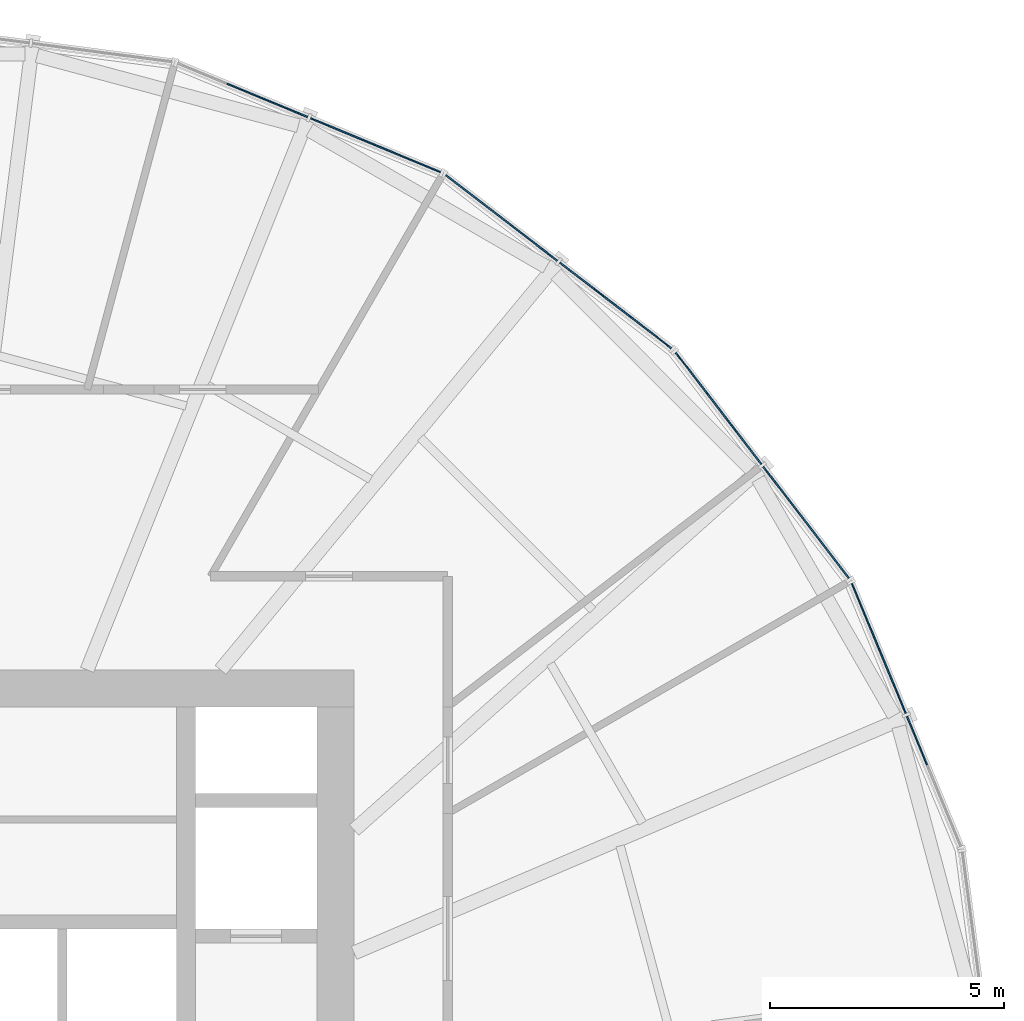
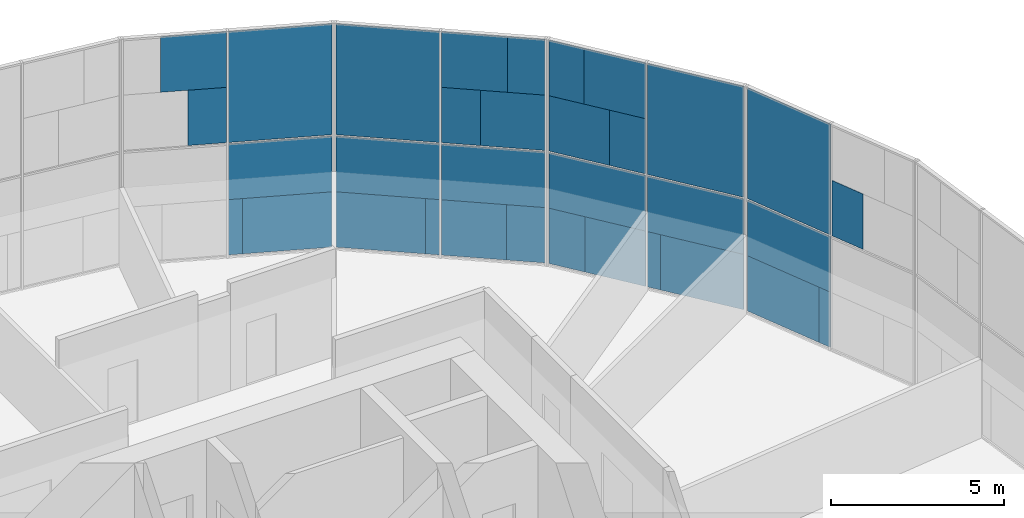
# One storey, part 14 of 18: 33 plates, 4 elements without a shape of their own.
"""IFC4 building model written with IfcOpenShell, lengths in metres."""

import ifcopenshell
import ifcopenshell.guid

model = None  # the IFC model being written
_history = None  # IfcOwnerHistory: only IFC2X3 demands one
_inside = {}  # id of a spatial element -> (the spatial element, [elements in it])
_under = {}  # id of a project, library or spatial element -> (it, [spatial elements below it])
_declared = {}  # id of a project -> (the project, [libraries it declares])
_typed = {}  # id of a type object -> (the type object, [elements of that type])
_made_of = {}  # id of a material, layer set ... -> (it, [elements and type objects made of it])


def new_model(schema):
    """Start an empty IFC model of exactly this schema.

    Asked for "IFC4X3", IfcOpenShell would pick the latest addendum, in which some entities
    have other attributes; the version numbers below select the first issue.
    IFC2X3 requires an IfcOwnerHistory on every rooted entity: one is made here for all.
    """
    global model, _history
    if schema == "IFC4X3":
        model = ifcopenshell.file(schema_version=(4, 3, 0, 0))
    else:
        model = ifcopenshell.file(schema=schema)
    _inside.clear()
    _under.clear()
    _declared.clear()
    _typed.clear()
    _made_of.clear()
    _history = None
    if model.schema == "IFC2X3":
        org = make("IfcOrganization", Name="unknown")
        user = make(
            "IfcPersonAndOrganization",
            ThePerson=make("IfcPerson", FamilyName="unknown"),
            TheOrganization=org,
        )
        app = make(
            "IfcApplication",
            ApplicationDeveloper=org,
            Version="unknown",
            ApplicationFullName="unknown",
            ApplicationIdentifier="unknown",
        )
        _history = make(
            "IfcOwnerHistory",
            OwningUser=user,
            OwningApplication=app,
            ChangeAction="ADDED",
            CreationDate=0,
        )
    return model


def make(cls, **values):
    """One entity of the class cls with the attributes given. An attribute that is None is left unset."""
    return model.create_entity(
        cls, **{name: value for name, value in values.items() if value is not None}
    )


def rooted(cls, **values):
    """An entity with a GlobalId (a new one), such as an element, a storey or a relation."""
    return make(cls, GlobalId=ifcopenshell.guid.new(), OwnerHistory=_history, **values)


def si_unit(unit_type, name, prefix=None):
    """IfcSIUnit, for example si_unit("LENGTHUNIT", "METRE", prefix="MILLI")."""
    return make("IfcSIUnit", UnitType=unit_type, Prefix=prefix, Name=name)


def assignment(units):
    """IfcUnitAssignment: the units of a project."""
    return None if units is None else make("IfcUnitAssignment", Units=units)


def point(xyz):
    """IfcCartesianPoint."""
    return None if xyz is None else make("IfcCartesianPoint", Coordinates=xyz)


def direction(xyz):
    """IfcDirection."""
    return None if xyz is None else make("IfcDirection", DirectionRatios=xyz)


def frame(location, z_axis=None, x_axis=None):
    """IfcAxis2Placement3D, a coordinate frame: its origin and axes. An axis left out is left unset."""
    return make(
        "IfcAxis2Placement3D",
        Location=point(location),
        Axis=direction(z_axis),
        RefDirection=direction(x_axis),
    )


def frame_2d(location, x_axis=None):
    """IfcAxis2Placement2D, a coordinate frame in the plane: its origin and x axis."""
    return make(
        "IfcAxis2Placement2D", Location=point(location), RefDirection=direction(x_axis)
    )


def origin():
    """The frame at (0, 0, 0) with its axes left unset."""
    return frame((0.0, 0.0, 0.0))


def origin_2d():
    """The frame at (0, 0) in the plane with its x axis left unset."""
    return frame_2d((0.0, 0.0))


def place(relative_to, where):
    """IfcLocalPlacement: puts the frame where relative to a parent placement (None: the world)."""
    return make(
        "IfcLocalPlacement", PlacementRelTo=relative_to, RelativePlacement=where
    )


def context(
    kind, dimensions, precision=None, world=None, true_north=None, identifier=None
):
    """IfcGeometricRepresentationContext, for example the 3D "Model" context."""
    return make(
        "IfcGeometricRepresentationContext",
        ContextIdentifier=identifier,
        ContextType=kind,
        CoordinateSpaceDimension=dimensions,
        Precision=precision,
        WorldCoordinateSystem=world,
        TrueNorth=true_north,
    )


def subcontext(parent, identifier, kind, view, scale=None):
    """IfcGeometricRepresentationSubContext, for example "Body" below "Model"."""
    return make(
        "IfcGeometricRepresentationSubContext",
        ContextIdentifier=identifier,
        ContextType=kind,
        ParentContext=parent,
        TargetScale=scale,
        TargetView=view,
    )


def project(units=None, contexts=None):
    """IfcProject with its units and contexts."""
    return rooted(
        "IfcProject",
        Name="project",
        RepresentationContexts=contexts,
        UnitsInContext=assignment(units),
    )


def spatial(cls, under=None, at=None, **own):
    """A site, building, storey or space (cls), placed at a placement, below another one or the project."""
    s = rooted(cls, ObjectPlacement=at, **own)
    if under is not None:
        _under.setdefault(under.id(), (under, []))[1].append(s)
    return s


def profile(cls, at=None, kind="AREA", **sizes):
    """A parametric profile (cls). Its sizes go by their IFC names, for example OverallWidth=200.0."""
    return make(cls, ProfileType=kind, Position=at, **sizes)


def rectangle(**sizes):
    """IfcRectangleProfileDef."""
    return profile("IfcRectangleProfileDef", **sizes)


def extrude(swept, where, along, depth):
    """IfcExtrudedAreaSolid: the profile swept, set in the frame where, extruded along a direction by depth."""
    return make(
        "IfcExtrudedAreaSolid",
        SweptArea=swept,
        Position=where,
        ExtrudedDirection=direction(along),
        Depth=depth,
    )


def shape(context_of_items, identifier, shape_type, items):
    """IfcShapeRepresentation: the items that make up one representation, for example the "Body"."""
    return make(
        "IfcShapeRepresentation",
        ContextOfItems=context_of_items,
        RepresentationIdentifier=identifier,
        RepresentationType=shape_type,
        Items=items,
    )


def material(Name=None, Category=None):
    """IfcMaterial."""
    return make("IfcMaterial", Name=Name, Category=Category)


def layer(
    of_material, thickness, ventilated=None, Name=None, Category=None, Priority=None
):
    """IfcMaterialLayer: one layer of a wall or slab, of a material (None: an air gap)."""
    return make(
        "IfcMaterialLayer",
        Material=of_material,
        LayerThickness=thickness,
        IsVentilated=ventilated,
        Name=Name,
        Category=Category,
        Priority=Priority,
    )


def layer_set(layers, Name=None):
    """IfcMaterialLayerSet."""
    return make("IfcMaterialLayerSet", MaterialLayers=layers, LayerSetName=Name)


def made_of(thing, what):
    """Note that an element or type object is made of a material, layer set ...; save() writes the relation."""
    if what is not None:
        _made_of.setdefault(what.id(), (what, []))[1].append(thing)
    return thing


def type_object(cls, material=None, **own):
    """A type object (cls), such as IfcWallType, which elements share."""
    return made_of(rooted(cls, **own), material)


def element(
    cls,
    number,
    at=None,
    inside=None,
    cuts=None,
    type_object=None,
    material=None,
    context=None,
    identifier="Body",
    shape_type=None,
    held_by="IfcProductDefinitionShape",
    body=None,
    shapes=None,
    **own,
):
    """One element of the class cls, such as IfcWall. Its Tag is "e" and its number.

    at: its placement. inside: the storey or other place that contains it. cuts: it is an
    opening in that element (IfcRelVoidsElement). A single representation is given by context,
    identifier, shape_type and body (its items); several are given by shapes. held_by: the class
    of the entity that holds the representations. save() writes the other relations.
    """
    e = rooted(cls, Tag="e%d" % number, ObjectPlacement=at, **own)
    if body is not None:
        shapes = [shape(context, identifier, shape_type, body)]
    if shapes is not None:
        e.Representation = make(held_by, Representations=shapes)
    if inside is not None:
        _inside.setdefault(inside.id(), (inside, []))[1].append(e)
    if cuts is not None:
        rooted(
            "IfcRelVoidsElement", RelatingBuildingElement=cuts, RelatedOpeningElement=e
        )
    if type_object is not None:
        _typed.setdefault(type_object.id(), (type_object, []))[1].append(e)
    return made_of(e, material)


def aggregate(whole, parts):
    """IfcRelAggregates: a whole, such as a stair, and the parts it consists of."""
    return rooted("IfcRelAggregates", RelatingObject=whole, RelatedObjects=parts)


def save(model, path):
    """Write the relations noted so far, then the file.

    IfcRelAggregates (storeys below a building ...), IfcRelContainedInSpatialStructure (elements
    in a storey), IfcRelDefinesByType, IfcRelAssociatesMaterial and IfcRelDeclares: one each for
    every whole, place, type object, material and project.
    """
    for whole, parts in _under.values():
        aggregate(whole, parts)
    for where, things in _inside.values():
        rooted(
            "IfcRelContainedInSpatialStructure",
            RelatedElements=things,
            RelatingStructure=where,
        )
    for kind, things in _typed.values():
        rooted("IfcRelDefinesByType", RelatedObjects=things, RelatingType=kind)
    for what, things in _made_of.values():
        rooted("IfcRelAssociatesMaterial", RelatedObjects=things, RelatingMaterial=what)
    for by, libraries in _declared.values():
        rooted("IfcRelDeclares", RelatingContext=by, RelatedDefinitions=libraries)
    model.write(path)


model = new_model("IFC4")

# Units and contexts
model_context = context("Model", 3, precision=1e-05, world=origin(), true_north=direction((0.0, 1.0)))
body_context = subcontext(model_context, "Body", "Model", "MODEL_VIEW")
ifc_project = project(units=[si_unit("LENGTHUNIT", "METRE"), si_unit("AREAUNIT", "SQUARE_METRE"), si_unit("VOLUMEUNIT", "CUBIC_METRE"), si_unit("PLANEANGLEUNIT", "RADIAN"), si_unit("MASSUNIT", "GRAM", prefix="KILO")], contexts=[model_context])

# Site, building, storey
site_placement = place(None, origin())
site = spatial("IfcSite", under=ifc_project, at=site_placement, CompositionType="ELEMENT")
building_placement = place(site_placement, origin())
building = spatial("IfcBuilding", under=site, at=building_placement, Name="Golbaran Civic Tower", CompositionType="ELEMENT")
storey_placement = place(building_placement, frame((0.0, 0.0, 61.0)))
storey = spatial("IfcBuildingStorey", under=building, at=storey_placement, Name="L14", CompositionType="ELEMENT", Elevation=61.0)

# Curtain wall, plates
ifc_material_1 = material(Name="Aluminium and glass", Category="aluminium")
curtain_wall_type = type_object("IfcCurtainWallType", Name="INNER SKIN CURTAIN WALL", PredefinedType="NOTDEFINED", material=ifc_material_1)
curtain_wall_1_placement = place(storey_placement, origin())
curtain_wall_1 = element("IfcCurtainWall", 1, at=curtain_wall_1_placement, inside=storey, type_object=curtain_wall_type, Name="Inner skin L14 facet 2 CW1", ObjectType="INNER SKIN", PredefinedType="USERDEFINED")
ifc_material_2 = material(Name="Clear insulating glass", Category="glass")
ifc_layer_1 = layer(ifc_material_2, 0.031982421875, Name="Clear insulating glass")
ifc_layer_set_1 = layer_set([ifc_layer_1], Name="Clear insulating glass")
plate_type_1 = type_object("IfcPlateType", Name="INNER SKIN CURTAIN WALL GLAZED PANEL", PredefinedType="CURTAIN_PANEL", material=ifc_layer_set_1)
plate_1_placement = place(storey_placement, frame((22.04345703125, 8.487060546875, 4.032470703125), z_axis=(0.0, 0.0, 1.0), x_axis=(-0.382683432381, 0.923879532505, 0.0)))
plate_1 = element("IfcPlate", 2, at=plate_1_placement, type_object=plate_type_1, Name="CW1 panel 1.2 part 2", PredefinedType="CURTAIN_PANEL", context=body_context, shape_type="SweptSolid", body=[
    extrude(rectangle(XDim=1.124267578125, YDim=0.031982421875, at=origin_2d()), origin(), (0.0, 0.0, 1.0), 1.951171875),
])
plate_2_placement = place(storey_placement, frame((21.1484375, 10.647705078125, 0.06494140625), z_axis=(0.0, 0.0, 1.0), x_axis=(-0.382683432381, 0.923879532505, 0.0)))
plate_2 = element("IfcPlate", 3, at=plate_2_placement, type_object=plate_type_1, Name="CW1 panel 2.1 part 2", PredefinedType="CURTAIN_PANEL", context=body_context, shape_type="SweptSolid", body=[
    extrude(rectangle(XDim=2.59912109375, YDim=0.031982421875, at=origin_2d()), origin(), (0.0, 0.0, 1.0), 1.951171875),
])
plate_3_placement = place(storey_placement, frame((21.227294921875, 10.45751953125, 2.016357421875), z_axis=(0.0, 0.0, 1.0), x_axis=(-0.382683432381, 0.923879532505, 0.0)))
plate_3 = element("IfcPlate", 4, at=plate_3_placement, type_object=plate_type_1, Name="CW1 panel 2.1 part 3", PredefinedType="CURTAIN_PANEL", context=body_context, shape_type="SweptSolid", body=[
    extrude(rectangle(XDim=3.01123046875, YDim=0.031982421875, at=origin_2d()), origin(), (0.0, 0.0, 1.0), 1.951171875),
])
plate_4_placement = place(storey_placement, frame((21.227294921875, 10.45751953125, 4.0322265625), z_axis=(0.0, 0.0, 1.0), x_axis=(-0.382683432381, 0.923879532505, 0.0)))
plate_4 = element("IfcPlate", 5, at=plate_4_placement, type_object=plate_type_1, Name="CW1 panel 2.2", PredefinedType="CURTAIN_PANEL", context=body_context, shape_type="SweptSolid", body=[
    extrude(rectangle(XDim=3.01123046875, YDim=0.031982421875, at=origin_2d()), origin(), (0.0, 0.0, 1.0), 3.902587890625),
])

curtain_wall_2_placement = place(storey_placement, origin())
curtain_wall_2 = element("IfcCurtainWall", 6, at=curtain_wall_2_placement, inside=storey, type_object=curtain_wall_type, Name="Inner skin L14 facet 3 CW1", ObjectType="INNER SKIN", PredefinedType="USERDEFINED")
plate_5_placement = place(storey_placement, frame((19.795166015625, 12.991455078125, 0.06494140625), z_axis=(0.0, 0.0, 1.0), x_axis=(-0.608761428926, 0.793353340355, 0.0)))
plate_5 = element("IfcPlate", 7, at=plate_5_placement, type_object=plate_type_1, Name="CW1 panel 1.1 part 1", PredefinedType="CURTAIN_PANEL", context=body_context, shape_type="SweptSolid", body=[
    extrude(rectangle(XDim=2.60009765625, YDim=0.031982421875, at=origin_2d()), origin(), (0.0, 0.0, 1.0), 1.951171875),
])
plate_6_placement = place(storey_placement, frame((19.669921875, 13.154541015625, 2.016357421875), z_axis=(0.0, 0.0, 1.0), x_axis=(-0.608761428926, 0.793353340355, 0.0)))
plate_6 = element("IfcPlate", 8, at=plate_6_placement, type_object=plate_type_1, Name="CW1 panel 1.1 part 3", PredefinedType="CURTAIN_PANEL", context=body_context, shape_type="SweptSolid", body=[
    extrude(rectangle(XDim=3.01123046875, YDim=0.031982421875, at=origin_2d()), origin(), (0.0, 0.0, 1.0), 1.951171875),
])
plate_7_placement = place(storey_placement, frame((19.669921875, 13.154541015625, 4.0322265625), z_axis=(0.0, 0.0, 1.0), x_axis=(-0.608761428926, 0.793353340355, 0.0)))
plate_7 = element("IfcPlate", 9, at=plate_7_placement, type_object=plate_type_1, Name="CW1 panel 1.2", PredefinedType="CURTAIN_PANEL", context=body_context, shape_type="SweptSolid", body=[
    extrude(rectangle(XDim=3.01123046875, YDim=0.031982421875, at=origin_2d()), origin(), (0.0, 0.0, 1.0), 3.902587890625),
])
plate_8_placement = place(storey_placement, frame((17.224365234375, 16.341552734375, 0.06494140625), z_axis=(0.0, 0.0, 1.0), x_axis=(-0.608761428926, 0.793353340355, 0.0)))
plate_8 = element("IfcPlate", 10, at=plate_8_placement, type_object=plate_type_1, Name="CW1 panel 2.1 part 2", PredefinedType="CURTAIN_PANEL", context=body_context, shape_type="SweptSolid", body=[
    extrude(rectangle(XDim=1.129150390625, YDim=0.031982421875, at=origin_2d()), origin(), (0.0, 0.0, 1.0), 1.951171875),
])
plate_9_placement = place(storey_placement, frame((18.371826171875, 14.846435546875, 4.032470703125), z_axis=(0.0, 0.0, 1.0), x_axis=(-0.608761428926, 0.793353340355, 0.0)))
plate_9 = element("IfcPlate", 11, at=plate_9_placement, type_object=plate_type_1, Name="CW1 panel 2.2 part 1", PredefinedType="CURTAIN_PANEL", context=body_context, shape_type="SweptSolid", body=[
    extrude(rectangle(XDim=1.1240234375, YDim=0.031982421875, at=origin_2d()), origin(), (0.0, 0.0, 1.0), 1.951171875),
])
plate_10_placement = place(storey_placement, frame((18.131591796875, 15.159423828125, 5.98388671875), z_axis=(0.0, 0.0, 1.0), x_axis=(-0.608761428926, 0.793353340355, 0.0)))
plate_10 = element("IfcPlate", 12, at=plate_10_placement, type_object=plate_type_1, Name="CW1 panel 2.2 part 3", PredefinedType="CURTAIN_PANEL", context=body_context, shape_type="SweptSolid", body=[
    extrude(rectangle(XDim=1.9130859375, YDim=0.031982421875, at=origin_2d()), origin(), (0.0, 0.0, 1.0), 1.951171875),
])

curtain_wall_3_placement = place(storey_placement, origin())
curtain_wall_3 = element("IfcCurtainWall", 13, at=curtain_wall_3_placement, inside=storey, type_object=curtain_wall_type, Name="Inner skin L14 facet 4 CW1", ObjectType="INNER SKIN", PredefinedType="USERDEFINED")
plate_11_placement = place(storey_placement, frame((16.341796875, 17.224365234375, 0.06494140625), z_axis=(0.0, 0.0, 1.0), x_axis=(-0.793353340355, 0.608761428926, 0.0)))
plate_11 = element("IfcPlate", 14, at=plate_11_placement, type_object=plate_type_1, Name="CW1 panel 1.1 part 1", PredefinedType="CURTAIN_PANEL", context=body_context, shape_type="SweptSolid", body=[
    extrude(rectangle(XDim=1.12890625, YDim=0.031982421875, at=origin_2d()), origin(), (0.0, 0.0, 1.0), 1.951171875),
])
plate_12_placement = place(storey_placement, frame((14.8466796875, 18.37158203125, 4.032470703125), z_axis=(0.0, 0.0, 1.0), x_axis=(-0.793353340355, 0.608761428926, 0.0)))
plate_12 = element("IfcPlate", 15, at=plate_12_placement, type_object=plate_type_1, Name="CW1 panel 1.2 part 2", PredefinedType="CURTAIN_PANEL", context=body_context, shape_type="SweptSolid", body=[
    extrude(rectangle(XDim=1.124267578125, YDim=0.031982421875, at=origin_2d()), origin(), (0.0, 0.0, 1.0), 1.951171875),
])
plate_13_placement = place(storey_placement, frame((15.15966796875, 18.131591796875, 5.98388671875), z_axis=(0.0, 0.0, 1.0), x_axis=(-0.793353340355, 0.608761428926, 0.0)))
plate_13 = element("IfcPlate", 16, at=plate_13_placement, type_object=plate_type_1, Name="CW1 panel 1.2 part 4", PredefinedType="CURTAIN_PANEL", context=body_context, shape_type="SweptSolid", body=[
    extrude(rectangle(XDim=1.913330078125, YDim=0.031982421875, at=origin_2d()), origin(), (0.0, 0.0, 1.0), 1.951171875),
])
plate_14_placement = place(storey_placement, frame((12.9912109375, 19.79541015625, 0.06494140625), z_axis=(0.0, 0.0, 1.0), x_axis=(-0.793353340355, 0.608761428926, 0.0)))
plate_14 = element("IfcPlate", 17, at=plate_14_placement, type_object=plate_type_1, Name="CW1 panel 2.1 part 2", PredefinedType="CURTAIN_PANEL", context=body_context, shape_type="SweptSolid", body=[
    extrude(rectangle(XDim=2.59912109375, YDim=0.031982421875, at=origin_2d()), origin(), (0.0, 0.0, 1.0), 1.951171875),
])
plate_15_placement = place(storey_placement, frame((13.154541015625, 19.669921875, 2.016357421875), z_axis=(0.0, 0.0, 1.0), x_axis=(-0.793353340355, 0.608761428926, 0.0)))
plate_15 = element("IfcPlate", 18, at=plate_15_placement, type_object=plate_type_1, Name="CW1 panel 2.1 part 3", PredefinedType="CURTAIN_PANEL", context=body_context, shape_type="SweptSolid", body=[
    extrude(rectangle(XDim=3.01123046875, YDim=0.031982421875, at=origin_2d()), origin(), (0.0, 0.0, 1.0), 1.951171875),
])
plate_16_placement = place(storey_placement, frame((13.154541015625, 19.669921875, 4.0322265625), z_axis=(0.0, 0.0, 1.0), x_axis=(-0.793353340355, 0.608761428926, 0.0)))
plate_16 = element("IfcPlate", 19, at=plate_16_placement, type_object=plate_type_1, Name="CW1 panel 2.2", PredefinedType="CURTAIN_PANEL", context=body_context, shape_type="SweptSolid", body=[
    extrude(rectangle(XDim=3.01123046875, YDim=0.031982421875, at=origin_2d()), origin(), (0.0, 0.0, 1.0), 3.902587890625),
])

curtain_wall_4_placement = place(storey_placement, origin())
curtain_wall_4 = element("IfcCurtainWall", 20, at=curtain_wall_4_placement, inside=storey, type_object=curtain_wall_type, Name="Inner skin L14 facet 5 CW1", ObjectType="INNER SKIN", PredefinedType="USERDEFINED")
plate_17_placement = place(storey_placement, frame((10.6474609375, 21.1484375, 0.06494140625), z_axis=(0.0, 0.0, 1.0), x_axis=(-0.923879532505, 0.382683432381, 0.0)))
plate_17 = element("IfcPlate", 21, at=plate_17_placement, type_object=plate_type_1, Name="CW1 panel 1.1 part 1", PredefinedType="CURTAIN_PANEL", context=body_context, shape_type="SweptSolid", body=[
    extrude(rectangle(XDim=2.60009765625, YDim=0.031982421875, at=origin_2d()), origin(), (0.0, 0.0, 1.0), 1.951171875),
])
plate_18_placement = place(storey_placement, frame((10.45751953125, 21.227294921875, 2.016357421875), z_axis=(0.0, 0.0, 1.0), x_axis=(-0.923879532505, 0.382683432381, 0.0)))
plate_18 = element("IfcPlate", 22, at=plate_18_placement, type_object=plate_type_1, Name="CW1 panel 1.1 part 3", PredefinedType="CURTAIN_PANEL", context=body_context, shape_type="SweptSolid", body=[
    extrude(rectangle(XDim=3.01123046875, YDim=0.031982421875, at=origin_2d()), origin(), (0.0, 0.0, 1.0), 1.951171875),
])
plate_19_placement = place(storey_placement, frame((10.45751953125, 21.227294921875, 4.0322265625), z_axis=(0.0, 0.0, 1.0), x_axis=(-0.923879532505, 0.382683432381, 0.0)))
plate_19 = element("IfcPlate", 23, at=plate_19_placement, type_object=plate_type_1, Name="CW1 panel 1.2", PredefinedType="CURTAIN_PANEL", context=body_context, shape_type="SweptSolid", body=[
    extrude(rectangle(XDim=3.01123046875, YDim=0.031982421875, at=origin_2d()), origin(), (0.0, 0.0, 1.0), 3.902587890625),
])
plate_20_placement = place(storey_placement, frame((8.487060546875, 22.043212890625, 4.032470703125), z_axis=(0.0, 0.0, 1.0), x_axis=(-0.923879532505, 0.382683432381, 0.0)))
plate_20 = element("IfcPlate", 24, at=plate_20_placement, type_object=plate_type_1, Name="CW1 panel 2.2 part 1", PredefinedType="CURTAIN_PANEL", context=body_context, shape_type="SweptSolid", body=[
    extrude(rectangle(XDim=1.1240234375, YDim=0.031982421875, at=origin_2d()), origin(), (0.0, 0.0, 1.0), 1.951171875),
])
plate_21_placement = place(storey_placement, frame((8.12255859375, 22.1943359375, 5.98388671875), z_axis=(0.0, 0.0, 1.0), x_axis=(-0.923879532505, 0.382683432381, 0.0)))
plate_21 = element("IfcPlate", 25, at=plate_21_placement, type_object=plate_type_1, Name="CW1 panel 2.2 part 3", PredefinedType="CURTAIN_PANEL", context=body_context, shape_type="SweptSolid", body=[
    extrude(rectangle(XDim=1.9130859375, YDim=0.031982421875, at=origin_2d()), origin(), (0.0, 0.0, 1.0), 1.951171875),
])

# Plate
ifc_material_3 = material(Name="Aluminium faced opaque infill panel", Category="aluminium")
ifc_layer_2 = layer(ifc_material_3, 0.031982421875, Name="Aluminium faced opaque infill panel")
ifc_layer_set_2 = layer_set([ifc_layer_2], Name="Aluminium faced opaque infill panel")
plate_type_2 = type_object("IfcPlateType", Name="INNER SKIN CURTAIN WALL OPAQUE INFILL PANEL", PredefinedType="CURTAIN_PANEL", material=ifc_layer_set_2)
plate_22_placement = place(storey_placement, frame((21.724609375, 9.2568359375, 0.06494140625), z_axis=(0.0, 0.0, 1.0), x_axis=(-0.382683432381, 0.923879532505, 0.0)))
plate_22 = element("IfcPlate", 26, at=plate_22_placement, type_object=plate_type_2, Name="CW1 infill panel 2.1 part 1", PredefinedType="CURTAIN_PANEL", context=body_context, shape_type="SweptSolid", body=[
    extrude(rectangle(XDim=0.412109375, YDim=0.031982421875, at=origin_2d()), origin(), (0.0, 0.0, 1.0), 1.951171875),
])

aggregate(curtain_wall_1, [plate_1, plate_22, plate_2, plate_3, plate_4])

plate_23_placement = place(storey_placement, frame((18.878662109375, 14.18603515625, 0.06494140625), z_axis=(0.0, 0.0, 1.0), x_axis=(-0.608761428926, 0.793353340355, 0.0)))
plate_23 = element("IfcPlate", 27, at=plate_23_placement, type_object=plate_type_2, Name="CW1 infill panel 1.1 part 2", PredefinedType="CURTAIN_PANEL", context=body_context, shape_type="SweptSolid", body=[
    extrude(rectangle(XDim=0.4111328125, YDim=0.031982421875, at=origin_2d()), origin(), (0.0, 0.0, 1.0), 1.951171875),
])

plate_24_placement = place(storey_placement, frame((18.14111328125, 15.147216796875, 0.06494140625), z_axis=(0.0, 0.0, 1.0), x_axis=(-0.608761428926, 0.793353340355, 0.0)))
plate_24 = element("IfcPlate", 28, at=plate_24_placement, type_object=plate_type_2, Name="CW1 infill panel 2.1 part 1", PredefinedType="CURTAIN_PANEL", context=body_context, shape_type="SweptSolid", body=[
    extrude(rectangle(XDim=1.882080078125, YDim=0.031982421875, at=origin_2d()), origin(), (0.0, 0.0, 1.0), 1.951171875),
])

plate_25_placement = place(storey_placement, frame((17.79736328125, 15.59521484375, 2.016357421875), z_axis=(0.0, 0.0, 1.0), x_axis=(-0.608761428926, 0.793353340355, 0.0)))
plate_25 = element("IfcPlate", 29, at=plate_25_placement, type_object=plate_type_2, Name="CW1 infill panel 2.1 part 3", PredefinedType="CURTAIN_PANEL", context=body_context, shape_type="SweptSolid", body=[
    extrude(rectangle(XDim=3.01123046875, YDim=0.031982421875, at=origin_2d()), origin(), (0.0, 0.0, 1.0), 1.951171875),
])

plate_26_placement = place(storey_placement, frame((17.455078125, 16.041015625, 4.032470703125), z_axis=(0.0, 0.0, 1.0), x_axis=(-0.608761428926, 0.793353340355, 0.0)))
plate_26 = element("IfcPlate", 30, at=plate_26_placement, type_object=plate_type_2, Name="CW1 infill panel 2.2 part 2", PredefinedType="CURTAIN_PANEL", context=body_context, shape_type="SweptSolid", body=[
    extrude(rectangle(XDim=1.88720703125, YDim=0.031982421875, at=origin_2d()), origin(), (0.0, 0.0, 1.0), 1.951171875),
])

plate_27_placement = place(storey_placement, frame((17.215087890625, 16.35400390625, 5.98388671875), z_axis=(0.0, 0.0, 1.0), x_axis=(-0.608761428926, 0.793353340355, 0.0)))
plate_27 = element("IfcPlate", 31, at=plate_27_placement, type_object=plate_type_2, Name="CW1 infill panel 2.2 part 4", PredefinedType="CURTAIN_PANEL", context=body_context, shape_type="SweptSolid", body=[
    extrude(rectangle(XDim=1.09814453125, YDim=0.031982421875, at=origin_2d()), origin(), (0.0, 0.0, 1.0), 1.951171875),
])

aggregate(curtain_wall_2, [plate_5, plate_23, plate_6, plate_7, plate_24, plate_8, plate_25, plate_9, plate_26, plate_10, plate_27])

plate_28_placement = place(storey_placement, frame((15.147216796875, 18.140869140625, 0.06494140625), z_axis=(0.0, 0.0, 1.0), x_axis=(-0.793353340355, 0.608761428926, 0.0)))
plate_28 = element("IfcPlate", 32, at=plate_28_placement, type_object=plate_type_2, Name="CW1 infill panel 1.1 part 2", PredefinedType="CURTAIN_PANEL", context=body_context, shape_type="SweptSolid", body=[
    extrude(rectangle(XDim=1.88232421875, YDim=0.031982421875, at=origin_2d()), origin(), (0.0, 0.0, 1.0), 1.951171875),
])

plate_29_placement = place(storey_placement, frame((15.59521484375, 17.79736328125, 2.016357421875), z_axis=(0.0, 0.0, 1.0), x_axis=(-0.793353340355, 0.608761428926, 0.0)))
plate_29 = element("IfcPlate", 33, at=plate_29_placement, type_object=plate_type_2, Name="CW1 infill panel 1.1 part 3", PredefinedType="CURTAIN_PANEL", context=body_context, shape_type="SweptSolid", body=[
    extrude(rectangle(XDim=3.01123046875, YDim=0.031982421875, at=origin_2d()), origin(), (0.0, 0.0, 1.0), 1.951171875),
])

plate_30_placement = place(storey_placement, frame((16.041015625, 17.455078125, 4.032470703125), z_axis=(0.0, 0.0, 1.0), x_axis=(-0.793353340355, 0.608761428926, 0.0)))
plate_30 = element("IfcPlate", 34, at=plate_30_placement, type_object=plate_type_2, Name="CW1 infill panel 1.2 part 1", PredefinedType="CURTAIN_PANEL", context=body_context, shape_type="SweptSolid", body=[
    extrude(rectangle(XDim=1.886962890625, YDim=0.031982421875, at=origin_2d()), origin(), (0.0, 0.0, 1.0), 1.951171875),
])

plate_31_placement = place(storey_placement, frame((16.35400390625, 17.21484375, 5.98388671875), z_axis=(0.0, 0.0, 1.0), x_axis=(-0.793353340355, 0.608761428926, 0.0)))
plate_31 = element("IfcPlate", 35, at=plate_31_placement, type_object=plate_type_2, Name="CW1 infill panel 1.2 part 3", PredefinedType="CURTAIN_PANEL", context=body_context, shape_type="SweptSolid", body=[
    extrude(rectangle(XDim=1.097900390625, YDim=0.031982421875, at=origin_2d()), origin(), (0.0, 0.0, 1.0), 1.951171875),
])

plate_32_placement = place(storey_placement, frame((14.185546875, 18.87890625, 0.06494140625), z_axis=(0.0, 0.0, 1.0), x_axis=(-0.793353340355, 0.608761428926, 0.0)))
plate_32 = element("IfcPlate", 36, at=plate_32_placement, type_object=plate_type_2, Name="CW1 infill panel 2.1 part 1", PredefinedType="CURTAIN_PANEL", context=body_context, shape_type="SweptSolid", body=[
    extrude(rectangle(XDim=0.412109375, YDim=0.031982421875, at=origin_2d()), origin(), (0.0, 0.0, 1.0), 1.951171875),
])

aggregate(curtain_wall_3, [plate_11, plate_28, plate_29, plate_30, plate_12, plate_31, plate_13, plate_32, plate_14, plate_15, plate_16])

plate_33_placement = place(storey_placement, frame((9.25634765625, 21.724609375, 0.06494140625), z_axis=(0.0, 0.0, 1.0), x_axis=(-0.923879532505, 0.382683432381, 0.0)))
plate_33 = element("IfcPlate", 37, at=plate_33_placement, type_object=plate_type_2, Name="CW1 infill panel 1.1 part 2", PredefinedType="CURTAIN_PANEL", context=body_context, shape_type="SweptSolid", body=[
    extrude(rectangle(XDim=0.4111328125, YDim=0.031982421875, at=origin_2d()), origin(), (0.0, 0.0, 1.0), 1.951171875),
])

aggregate(curtain_wall_4, [plate_17, plate_33, plate_18, plate_19, plate_20, plate_21])

save(model, "model.ifc")
